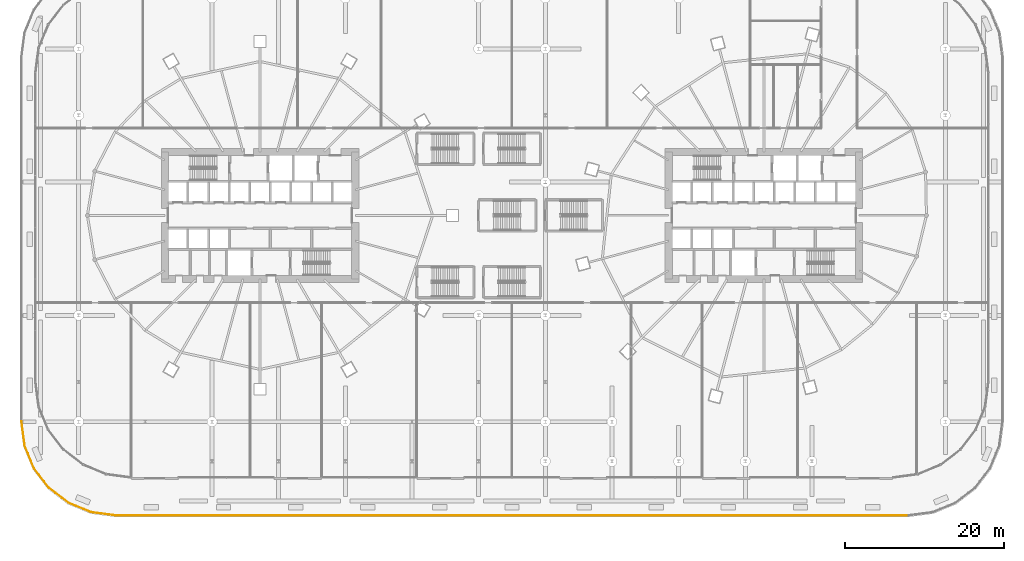
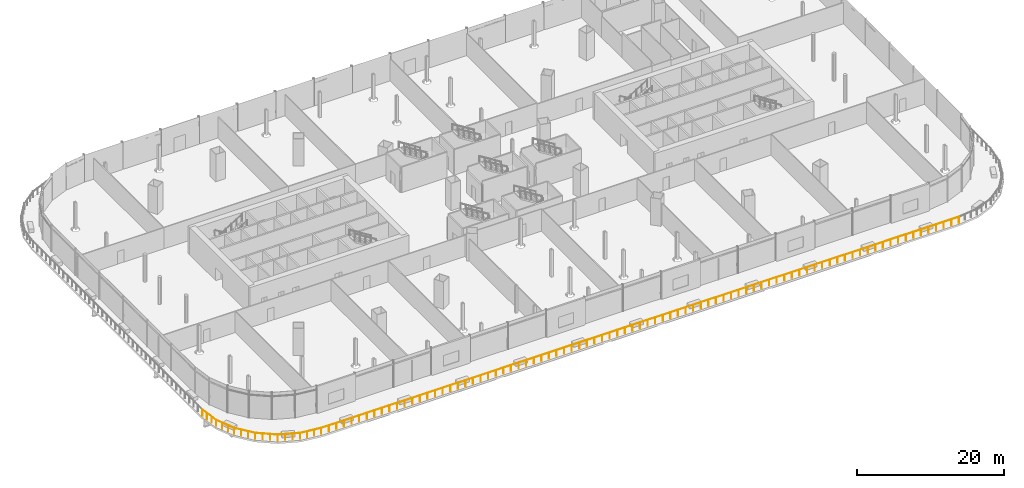
# One storey, part 46 of 56: 2 railings.
"""IFC4 building model written with IfcOpenShell, lengths in metres."""

import ifcopenshell
import ifcopenshell.guid

model = None  # the IFC model being written
_history = None  # IfcOwnerHistory: only IFC2X3 demands one
_inside = {}  # id of a spatial element -> (the spatial element, [elements in it])
_under = {}  # id of a project, library or spatial element -> (it, [spatial elements below it])
_declared = {}  # id of a project -> (the project, [libraries it declares])
_typed = {}  # id of a type object -> (the type object, [elements of that type])
_made_of = {}  # id of a material, layer set ... -> (it, [elements and type objects made of it])


def new_model(schema):
    """Start an empty IFC model of exactly this schema.

    Asked for "IFC4X3", IfcOpenShell would pick the latest addendum, in which some entities
    have other attributes; the version numbers below select the first issue.
    IFC2X3 requires an IfcOwnerHistory on every rooted entity: one is made here for all.
    """
    global model, _history
    if schema == "IFC4X3":
        model = ifcopenshell.file(schema_version=(4, 3, 0, 0))
    else:
        model = ifcopenshell.file(schema=schema)
    _inside.clear()
    _under.clear()
    _declared.clear()
    _typed.clear()
    _made_of.clear()
    _history = None
    if model.schema == "IFC2X3":
        org = make("IfcOrganization", Name="unknown")
        user = make(
            "IfcPersonAndOrganization",
            ThePerson=make("IfcPerson", FamilyName="unknown"),
            TheOrganization=org,
        )
        app = make(
            "IfcApplication",
            ApplicationDeveloper=org,
            Version="unknown",
            ApplicationFullName="unknown",
            ApplicationIdentifier="unknown",
        )
        _history = make(
            "IfcOwnerHistory",
            OwningUser=user,
            OwningApplication=app,
            ChangeAction="ADDED",
            CreationDate=0,
        )
    return model


def make(cls, **values):
    """One entity of the class cls with the attributes given. An attribute that is None is left unset."""
    return model.create_entity(
        cls, **{name: value for name, value in values.items() if value is not None}
    )


def rooted(cls, **values):
    """An entity with a GlobalId (a new one), such as an element, a storey or a relation."""
    return make(cls, GlobalId=ifcopenshell.guid.new(), OwnerHistory=_history, **values)


def si_unit(unit_type, name, prefix=None):
    """IfcSIUnit, for example si_unit("LENGTHUNIT", "METRE", prefix="MILLI")."""
    return make("IfcSIUnit", UnitType=unit_type, Prefix=prefix, Name=name)


def assignment(units):
    """IfcUnitAssignment: the units of a project."""
    return None if units is None else make("IfcUnitAssignment", Units=units)


def point(xyz):
    """IfcCartesianPoint."""
    return None if xyz is None else make("IfcCartesianPoint", Coordinates=xyz)


def direction(xyz):
    """IfcDirection."""
    return None if xyz is None else make("IfcDirection", DirectionRatios=xyz)


def frame(location, z_axis=None, x_axis=None):
    """IfcAxis2Placement3D, a coordinate frame: its origin and axes. An axis left out is left unset."""
    return make(
        "IfcAxis2Placement3D",
        Location=point(location),
        Axis=direction(z_axis),
        RefDirection=direction(x_axis),
    )


def frame_2d(location, x_axis=None):
    """IfcAxis2Placement2D, a coordinate frame in the plane: its origin and x axis."""
    return make(
        "IfcAxis2Placement2D", Location=point(location), RefDirection=direction(x_axis)
    )


def origin():
    """The frame at (0, 0, 0) with its axes left unset."""
    return frame((0.0, 0.0, 0.0))


def origin_2d():
    """The frame at (0, 0) in the plane with its x axis left unset."""
    return frame_2d((0.0, 0.0))


def place(relative_to, where):
    """IfcLocalPlacement: puts the frame where relative to a parent placement (None: the world)."""
    return make(
        "IfcLocalPlacement", PlacementRelTo=relative_to, RelativePlacement=where
    )


def context(
    kind, dimensions, precision=None, world=None, true_north=None, identifier=None
):
    """IfcGeometricRepresentationContext, for example the 3D "Model" context."""
    return make(
        "IfcGeometricRepresentationContext",
        ContextIdentifier=identifier,
        ContextType=kind,
        CoordinateSpaceDimension=dimensions,
        Precision=precision,
        WorldCoordinateSystem=world,
        TrueNorth=true_north,
    )


def subcontext(parent, identifier, kind, view, scale=None):
    """IfcGeometricRepresentationSubContext, for example "Body" below "Model"."""
    return make(
        "IfcGeometricRepresentationSubContext",
        ContextIdentifier=identifier,
        ContextType=kind,
        ParentContext=parent,
        TargetScale=scale,
        TargetView=view,
    )


def project(units=None, contexts=None):
    """IfcProject with its units and contexts."""
    return rooted(
        "IfcProject",
        Name="project",
        RepresentationContexts=contexts,
        UnitsInContext=assignment(units),
    )


def spatial(cls, under=None, at=None, **own):
    """A site, building, storey or space (cls), placed at a placement, below another one or the project."""
    s = rooted(cls, ObjectPlacement=at, **own)
    if under is not None:
        _under.setdefault(under.id(), (under, []))[1].append(s)
    return s


def profile(cls, at=None, kind="AREA", **sizes):
    """A parametric profile (cls). Its sizes go by their IFC names, for example OverallWidth=200.0."""
    return make(cls, ProfileType=kind, Position=at, **sizes)


def circle(**sizes):
    """IfcCircleProfileDef."""
    return profile("IfcCircleProfileDef", **sizes)


def extrude(swept, where, along, depth):
    """IfcExtrudedAreaSolid: the profile swept, set in the frame where, extruded along a direction by depth."""
    return make(
        "IfcExtrudedAreaSolid",
        SweptArea=swept,
        Position=where,
        ExtrudedDirection=direction(along),
        Depth=depth,
    )


def shape(context_of_items, identifier, shape_type, items):
    """IfcShapeRepresentation: the items that make up one representation, for example the "Body"."""
    return make(
        "IfcShapeRepresentation",
        ContextOfItems=context_of_items,
        RepresentationIdentifier=identifier,
        RepresentationType=shape_type,
        Items=items,
    )


def material(Name=None, Category=None):
    """IfcMaterial."""
    return make("IfcMaterial", Name=Name, Category=Category)


def made_of(thing, what):
    """Note that an element or type object is made of a material, layer set ...; save() writes the relation."""
    if what is not None:
        _made_of.setdefault(what.id(), (what, []))[1].append(thing)
    return thing


def type_object(cls, material=None, **own):
    """A type object (cls), such as IfcWallType, which elements share."""
    return made_of(rooted(cls, **own), material)


def element(
    cls,
    number,
    at=None,
    inside=None,
    cuts=None,
    type_object=None,
    material=None,
    context=None,
    identifier="Body",
    shape_type=None,
    held_by="IfcProductDefinitionShape",
    body=None,
    shapes=None,
    **own,
):
    """One element of the class cls, such as IfcWall. Its Tag is "e" and its number.

    at: its placement. inside: the storey or other place that contains it. cuts: it is an
    opening in that element (IfcRelVoidsElement). A single representation is given by context,
    identifier, shape_type and body (its items); several are given by shapes. held_by: the class
    of the entity that holds the representations. save() writes the other relations.
    """
    e = rooted(cls, Tag="e%d" % number, ObjectPlacement=at, **own)
    if body is not None:
        shapes = [shape(context, identifier, shape_type, body)]
    if shapes is not None:
        e.Representation = make(held_by, Representations=shapes)
    if inside is not None:
        _inside.setdefault(inside.id(), (inside, []))[1].append(e)
    if cuts is not None:
        rooted(
            "IfcRelVoidsElement", RelatingBuildingElement=cuts, RelatedOpeningElement=e
        )
    if type_object is not None:
        _typed.setdefault(type_object.id(), (type_object, []))[1].append(e)
    return made_of(e, material)


def aggregate(whole, parts):
    """IfcRelAggregates: a whole, such as a stair, and the parts it consists of."""
    return rooted("IfcRelAggregates", RelatingObject=whole, RelatedObjects=parts)


def save(model, path):
    """Write the relations noted so far, then the file.

    IfcRelAggregates (storeys below a building ...), IfcRelContainedInSpatialStructure (elements
    in a storey), IfcRelDefinesByType, IfcRelAssociatesMaterial and IfcRelDeclares: one each for
    every whole, place, type object, material and project.
    """
    for whole, parts in _under.values():
        aggregate(whole, parts)
    for where, things in _inside.values():
        rooted(
            "IfcRelContainedInSpatialStructure",
            RelatedElements=things,
            RelatingStructure=where,
        )
    for kind, things in _typed.values():
        rooted("IfcRelDefinesByType", RelatedObjects=things, RelatingType=kind)
    for what, things in _made_of.values():
        rooted("IfcRelAssociatesMaterial", RelatedObjects=things, RelatingMaterial=what)
    for by, libraries in _declared.values():
        rooted("IfcRelDeclares", RelatingContext=by, RelatedDefinitions=libraries)
    model.write(path)


model = new_model("IFC4")

# Units and contexts
model_context = context("Model", 3, precision=1e-05, world=origin(), true_north=direction((0.0, 1.0)))
body_context = subcontext(model_context, "Body", "Model", "MODEL_VIEW")
ifc_project = project(units=[si_unit("LENGTHUNIT", "METRE"), si_unit("AREAUNIT", "SQUARE_METRE"), si_unit("VOLUMEUNIT", "CUBIC_METRE"), si_unit("PLANEANGLEUNIT", "RADIAN"), si_unit("MASSUNIT", "GRAM", prefix="KILO")], contexts=[model_context])

# Site, building, storey
site_placement = place(None, origin())
site = spatial("IfcSite", under=ifc_project, at=site_placement, CompositionType="ELEMENT")
building_placement = place(site_placement, origin())
building = spatial("IfcBuilding", under=site, at=building_placement, Name="Rimbun Link Towers", CompositionType="ELEMENT")
storey_placement = place(building_placement, frame((0.0, 0.0, 16.5)))
storey = spatial("IfcBuildingStorey", under=building, at=storey_placement, Name="L03", CompositionType="ELEMENT", Elevation=16.5)

# Railings
ifc_material = material(Name="Toughened laminated glass, stainless steel grade 316 posts and cap rail", Category="steel")
railing_type = type_object("IfcRailingType", Name="GUARD glass balustrade with stainless cap rail", PredefinedType="BALUSTRADE", material=ifc_material)
railing_1_placement = place(storey_placement, frame((-61.800048828125, -25.98681640625, 0.0)))
element("IfcRailing", 1, at=railing_1_placement, inside=storey, type_object=railing_type, Name="GUARD glass balustrade", PredefinedType="BALUSTRADE", context=body_context, shape_type="SweptSolid", body=[
    extrude(circle(Radius=0.02392578125, at=origin_2d()), frame((0.0, 0.0, 1.076171875), z_axis=(0.130540259305, -0.991443009305, 0.0), x_axis=(0.991443009305, 0.130540259305, 0.0)), (0.0, 0.0, 1.0), 3.09326171875),
    extrude(circle(Radius=0.02392578125, at=origin_2d()), frame((0.40380859375, -3.06689453125, 1.076171875), z_axis=(0.382706499462, -0.92386997747, 0.0), x_axis=(0.92386997747, 0.382706499462, 0.0)), (0.0, 0.0, 1.0), 3.079833984375),
    extrude(circle(Radius=0.02392578125, at=origin_2d()), frame((1.58251953125, -5.912353515625, 1.076171875), z_axis=(0.608702762794, -0.793398353015, 0.0), x_axis=(0.793398353015, 0.608702762794, 0.0)), (0.0, 0.0, 1.0), 3.079833984375),
    extrude(circle(Radius=0.02392578125, at=origin_2d()), frame((3.457275390625, -8.35595703125, 1.076171875), z_axis=(0.793398353015, -0.608702762794, 0.0), x_axis=(0.608702762794, 0.793398353015, 0.0)), (0.0, 0.0, 1.0), 3.079833984375),
    extrude(circle(Radius=0.02392578125, at=origin_2d()), frame((5.90087890625, -10.230712890625, 1.076171875), z_axis=(0.92386997747, -0.382706499462, 0.0), x_axis=(0.382706499462, 0.92386997747, 0.0)), (0.0, 0.0, 1.0), 3.079833984375),
    extrude(circle(Radius=0.02392578125, at=origin_2d()), frame((8.746337890625, -11.409423828125, 1.076171875), z_axis=(0.991443009305, -0.130540259305, 0.0), x_axis=(0.130540259305, 0.991443009305, 0.0)), (0.0, 0.0, 1.0), 3.09326171875),
    extrude(circle(Radius=0.02099609375, at=origin_2d()), origin(), (0.0, 0.0, 1.0), 1.052001953125),
    extrude(circle(Radius=0.02099609375, at=origin_2d()), frame((0.134521484375, -1.022216796875, 0.0)), (0.0, 0.0, 1.0), 1.052001953125),
    extrude(circle(Radius=0.02099609375, at=origin_2d()), frame((0.269287109375, -2.044677734375, 0.0)), (0.0, 0.0, 1.0), 1.052001953125),
    extrude(circle(Radius=0.02099609375, at=origin_2d()), frame((0.40380859375, -3.06689453125, 0.0)), (0.0, 0.0, 1.0), 1.052001953125),
    extrude(circle(Radius=0.02099609375, at=origin_2d()), frame((0.796630859375, -4.015380859375, 0.0)), (0.0, 0.0, 1.0), 1.052001953125),
    extrude(circle(Radius=0.02099609375, at=origin_2d()), frame((1.189697265625, -4.9638671875, 0.0)), (0.0, 0.0, 1.0), 1.052001953125),
    extrude(circle(Radius=0.02099609375, at=origin_2d()), frame((1.58251953125, -5.912353515625, 0.0)), (0.0, 0.0, 1.0), 1.052001953125),
    extrude(circle(Radius=0.02099609375, at=origin_2d()), frame((2.20751953125, -6.726806640625, 0.0)), (0.0, 0.0, 1.0), 1.052001953125),
    extrude(circle(Radius=0.02099609375, at=origin_2d()), frame((2.832275390625, -7.54150390625, 0.0)), (0.0, 0.0, 1.0), 1.052001953125),
    extrude(circle(Radius=0.02099609375, at=origin_2d()), frame((3.457275390625, -8.35595703125, 0.0)), (0.0, 0.0, 1.0), 1.052001953125),
    extrude(circle(Radius=0.02099609375, at=origin_2d()), frame((4.271728515625, -8.98095703125, 0.0)), (0.0, 0.0, 1.0), 1.052001953125),
    extrude(circle(Radius=0.02099609375, at=origin_2d()), frame((5.08642578125, -9.605712890625, 0.0)), (0.0, 0.0, 1.0), 1.052001953125),
    extrude(circle(Radius=0.02099609375, at=origin_2d()), frame((5.90087890625, -10.230712890625, 0.0)), (0.0, 0.0, 1.0), 1.052001953125),
    extrude(circle(Radius=0.02099609375, at=origin_2d()), frame((6.849365234375, -10.62353515625, 0.0)), (0.0, 0.0, 1.0), 1.052001953125),
    extrude(circle(Radius=0.02099609375, at=origin_2d()), frame((7.7978515625, -11.0166015625, 0.0)), (0.0, 0.0, 1.0), 1.052001953125),
    extrude(circle(Radius=0.02099609375, at=origin_2d()), frame((8.746337890625, -11.409423828125, 0.0)), (0.0, 0.0, 1.0), 1.052001953125),
    extrude(circle(Radius=0.02099609375, at=origin_2d()), frame((9.7685546875, -11.5439453125, 0.0)), (0.0, 0.0, 1.0), 1.052001953125),
    extrude(circle(Radius=0.02099609375, at=origin_2d()), frame((10.791015625, -11.6787109375, 0.0)), (0.0, 0.0, 1.0), 1.052001953125),
    extrude(circle(Radius=0.02099609375, at=origin_2d()), frame((11.813232421875, -11.813232421875, 0.0)), (0.0, 0.0, 1.0), 1.052001953125),
])
railing_2_placement = place(storey_placement, frame((-49.98681640625, -37.800048828125, 0.0)))
element("IfcRailing", 2, at=railing_2_placement, inside=storey, type_object=railing_type, Name="GUARD glass balustrade", PredefinedType="BALUSTRADE", context=body_context, shape_type="SweptSolid", body=[
    extrude(circle(Radius=0.02392578125, at=origin_2d()), frame((0.0, 0.0, 1.076171875), z_axis=(1.0, 0.0, 0.0), x_axis=(0.0, 1.0, 0.0)), (0.0, 0.0, 1.0), 99.9736328125),
    extrude(circle(Radius=0.02099609375, at=origin_2d()), origin(), (0.0, 0.0, 1.0), 1.052001953125),
    extrude(circle(Radius=0.02099609375, at=origin_2d()), frame((1.190185546875, 0.0, 0.0)), (0.0, 0.0, 1.0), 1.052001953125),
    extrude(circle(Radius=0.02099609375, at=origin_2d()), frame((2.38037109375, 0.0, 0.0)), (0.0, 0.0, 1.0), 1.052001953125),
    extrude(circle(Radius=0.02099609375, at=origin_2d()), frame((3.570556640625, 0.0, 0.0)), (0.0, 0.0, 1.0), 1.052001953125),
    extrude(circle(Radius=0.02099609375, at=origin_2d()), frame((4.7607421875, 0.0, 0.0)), (0.0, 0.0, 1.0), 1.052001953125),
    extrude(circle(Radius=0.02099609375, at=origin_2d()), frame((5.950927734375, 0.0, 0.0)), (0.0, 0.0, 1.0), 1.052001953125),
    extrude(circle(Radius=0.02099609375, at=origin_2d()), frame((7.140869140625, 0.0, 0.0)), (0.0, 0.0, 1.0), 1.052001953125),
    extrude(circle(Radius=0.02099609375, at=origin_2d()), frame((8.3310546875, 0.0, 0.0)), (0.0, 0.0, 1.0), 1.052001953125),
    extrude(circle(Radius=0.02099609375, at=origin_2d()), frame((9.521240234375, 0.0, 0.0)), (0.0, 0.0, 1.0), 1.052001953125),
    extrude(circle(Radius=0.02099609375, at=origin_2d()), frame((10.71142578125, 0.0, 0.0)), (0.0, 0.0, 1.0), 1.052001953125),
    extrude(circle(Radius=0.02099609375, at=origin_2d()), frame((11.901611328125, 0.0, 0.0)), (0.0, 0.0, 1.0), 1.052001953125),
    extrude(circle(Radius=0.02099609375, at=origin_2d()), frame((13.091796875, 0.0, 0.0)), (0.0, 0.0, 1.0), 1.052001953125),
    extrude(circle(Radius=0.02099609375, at=origin_2d()), frame((14.281982421875, 0.0, 0.0)), (0.0, 0.0, 1.0), 1.052001953125),
    extrude(circle(Radius=0.02099609375, at=origin_2d()), frame((15.47216796875, 0.0, 0.0)), (0.0, 0.0, 1.0), 1.052001953125),
    extrude(circle(Radius=0.02099609375, at=origin_2d()), frame((16.662353515625, 0.0, 0.0)), (0.0, 0.0, 1.0), 1.052001953125),
    extrude(circle(Radius=0.02099609375, at=origin_2d()), frame((17.8525390625, 0.0, 0.0)), (0.0, 0.0, 1.0), 1.052001953125),
    extrude(circle(Radius=0.02099609375, at=origin_2d()), frame((19.04248046875, 0.0, 0.0)), (0.0, 0.0, 1.0), 1.052001953125),
    extrude(circle(Radius=0.02099609375, at=origin_2d()), frame((20.232666015625, 0.0, 0.0)), (0.0, 0.0, 1.0), 1.052001953125),
    extrude(circle(Radius=0.02099609375, at=origin_2d()), frame((21.4228515625, 0.0, 0.0)), (0.0, 0.0, 1.0), 1.052001953125),
    extrude(circle(Radius=0.02099609375, at=origin_2d()), frame((22.613037109375, 0.0, 0.0)), (0.0, 0.0, 1.0), 1.052001953125),
    extrude(circle(Radius=0.02099609375, at=origin_2d()), frame((23.80322265625, 0.0, 0.0)), (0.0, 0.0, 1.0), 1.052001953125),
    extrude(circle(Radius=0.02099609375, at=origin_2d()), frame((24.993408203125, 0.0, 0.0)), (0.0, 0.0, 1.0), 1.052001953125),
    extrude(circle(Radius=0.02099609375, at=origin_2d()), frame((26.18359375, 0.0, 0.0)), (0.0, 0.0, 1.0), 1.052001953125),
    extrude(circle(Radius=0.02099609375, at=origin_2d()), frame((27.373779296875, 0.0, 0.0)), (0.0, 0.0, 1.0), 1.052001953125),
    extrude(circle(Radius=0.02099609375, at=origin_2d()), frame((28.56396484375, 0.0, 0.0)), (0.0, 0.0, 1.0), 1.052001953125),
    extrude(circle(Radius=0.02099609375, at=origin_2d()), frame((29.754150390625, 0.0, 0.0)), (0.0, 0.0, 1.0), 1.052001953125),
    extrude(circle(Radius=0.02099609375, at=origin_2d()), frame((30.9443359375, 0.0, 0.0)), (0.0, 0.0, 1.0), 1.052001953125),
    extrude(circle(Radius=0.02099609375, at=origin_2d()), frame((32.13427734375, 0.0, 0.0)), (0.0, 0.0, 1.0), 1.052001953125),
    extrude(circle(Radius=0.02099609375, at=origin_2d()), frame((33.324462890625, 0.0, 0.0)), (0.0, 0.0, 1.0), 1.052001953125),
    extrude(circle(Radius=0.02099609375, at=origin_2d()), frame((34.5146484375, 0.0, 0.0)), (0.0, 0.0, 1.0), 1.052001953125),
    extrude(circle(Radius=0.02099609375, at=origin_2d()), frame((35.704833984375, 0.0, 0.0)), (0.0, 0.0, 1.0), 1.052001953125),
    extrude(circle(Radius=0.02099609375, at=origin_2d()), frame((36.89501953125, 0.0, 0.0)), (0.0, 0.0, 1.0), 1.052001953125),
    extrude(circle(Radius=0.02099609375, at=origin_2d()), frame((38.085205078125, 0.0, 0.0)), (0.0, 0.0, 1.0), 1.052001953125),
    extrude(circle(Radius=0.02099609375, at=origin_2d()), frame((39.275390625, 0.0, 0.0)), (0.0, 0.0, 1.0), 1.052001953125),
    extrude(circle(Radius=0.02099609375, at=origin_2d()), frame((40.465576171875, 0.0, 0.0)), (0.0, 0.0, 1.0), 1.052001953125),
    extrude(circle(Radius=0.02099609375, at=origin_2d()), frame((41.65576171875, 0.0, 0.0)), (0.0, 0.0, 1.0), 1.052001953125),
    extrude(circle(Radius=0.02099609375, at=origin_2d()), frame((42.845947265625, 0.0, 0.0)), (0.0, 0.0, 1.0), 1.052001953125),
    extrude(circle(Radius=0.02099609375, at=origin_2d()), frame((44.035888671875, 0.0, 0.0)), (0.0, 0.0, 1.0), 1.052001953125),
    extrude(circle(Radius=0.02099609375, at=origin_2d()), frame((45.22607421875, 0.0, 0.0)), (0.0, 0.0, 1.0), 1.052001953125),
    extrude(circle(Radius=0.02099609375, at=origin_2d()), frame((46.416259765625, 0.0, 0.0)), (0.0, 0.0, 1.0), 1.052001953125),
    extrude(circle(Radius=0.02099609375, at=origin_2d()), frame((47.6064453125, 0.0, 0.0)), (0.0, 0.0, 1.0), 1.052001953125),
    extrude(circle(Radius=0.02099609375, at=origin_2d()), frame((48.796630859375, 0.0, 0.0)), (0.0, 0.0, 1.0), 1.052001953125),
    extrude(circle(Radius=0.02099609375, at=origin_2d()), frame((49.98681640625, 0.0, 0.0)), (0.0, 0.0, 1.0), 1.052001953125),
    extrude(circle(Radius=0.02099609375, at=origin_2d()), frame((51.177001953125, 0.0, 0.0)), (0.0, 0.0, 1.0), 1.052001953125),
    extrude(circle(Radius=0.02099609375, at=origin_2d()), frame((52.3671875, 0.0, 0.0)), (0.0, 0.0, 1.0), 1.052001953125),
    extrude(circle(Radius=0.02099609375, at=origin_2d()), frame((53.557373046875, 0.0, 0.0)), (0.0, 0.0, 1.0), 1.052001953125),
    extrude(circle(Radius=0.02099609375, at=origin_2d()), frame((54.74755859375, 0.0, 0.0)), (0.0, 0.0, 1.0), 1.052001953125),
    extrude(circle(Radius=0.02099609375, at=origin_2d()), frame((55.937744140625, 0.0, 0.0)), (0.0, 0.0, 1.0), 1.052001953125),
    extrude(circle(Radius=0.02099609375, at=origin_2d()), frame((57.127685546875, 0.0, 0.0)), (0.0, 0.0, 1.0), 1.052001953125),
    extrude(circle(Radius=0.02099609375, at=origin_2d()), frame((58.31787109375, 0.0, 0.0)), (0.0, 0.0, 1.0), 1.052001953125),
    extrude(circle(Radius=0.02099609375, at=origin_2d()), frame((59.508056640625, 0.0, 0.0)), (0.0, 0.0, 1.0), 1.052001953125),
    extrude(circle(Radius=0.02099609375, at=origin_2d()), frame((60.6982421875, 0.0, 0.0)), (0.0, 0.0, 1.0), 1.052001953125),
    extrude(circle(Radius=0.02099609375, at=origin_2d()), frame((61.888427734375, 0.0, 0.0)), (0.0, 0.0, 1.0), 1.052001953125),
    extrude(circle(Radius=0.02099609375, at=origin_2d()), frame((63.07861328125, 0.0, 0.0)), (0.0, 0.0, 1.0), 1.052001953125),
    extrude(circle(Radius=0.02099609375, at=origin_2d()), frame((64.268798828125, 0.0, 0.0)), (0.0, 0.0, 1.0), 1.052001953125),
    extrude(circle(Radius=0.02099609375, at=origin_2d()), frame((65.458984375, 0.0, 0.0)), (0.0, 0.0, 1.0), 1.052001953125),
    extrude(circle(Radius=0.02099609375, at=origin_2d()), frame((66.649169921875, 0.0, 0.0)), (0.0, 0.0, 1.0), 1.052001953125),
    extrude(circle(Radius=0.02099609375, at=origin_2d()), frame((67.83935546875, 0.0, 0.0)), (0.0, 0.0, 1.0), 1.052001953125),
    extrude(circle(Radius=0.02099609375, at=origin_2d()), frame((69.029296875, 0.0, 0.0)), (0.0, 0.0, 1.0), 1.052001953125),
    extrude(circle(Radius=0.02099609375, at=origin_2d()), frame((70.219482421875, 0.0, 0.0)), (0.0, 0.0, 1.0), 1.052001953125),
    extrude(circle(Radius=0.02099609375, at=origin_2d()), frame((71.40966796875, 0.0, 0.0)), (0.0, 0.0, 1.0), 1.052001953125),
    extrude(circle(Radius=0.02099609375, at=origin_2d()), frame((72.599853515625, 0.0, 0.0)), (0.0, 0.0, 1.0), 1.052001953125),
    extrude(circle(Radius=0.02099609375, at=origin_2d()), frame((73.7900390625, 0.0, 0.0)), (0.0, 0.0, 1.0), 1.052001953125),
    extrude(circle(Radius=0.02099609375, at=origin_2d()), frame((74.980224609375, 0.0, 0.0)), (0.0, 0.0, 1.0), 1.052001953125),
    extrude(circle(Radius=0.02099609375, at=origin_2d()), frame((76.17041015625, 0.0, 0.0)), (0.0, 0.0, 1.0), 1.052001953125),
    extrude(circle(Radius=0.02099609375, at=origin_2d()), frame((77.360595703125, 0.0, 0.0)), (0.0, 0.0, 1.0), 1.052001953125),
    extrude(circle(Radius=0.02099609375, at=origin_2d()), frame((78.55078125, 0.0, 0.0)), (0.0, 0.0, 1.0), 1.052001953125),
    extrude(circle(Radius=0.02099609375, at=origin_2d()), frame((79.740966796875, 0.0, 0.0)), (0.0, 0.0, 1.0), 1.052001953125),
    extrude(circle(Radius=0.02099609375, at=origin_2d()), frame((80.93115234375, 0.0, 0.0)), (0.0, 0.0, 1.0), 1.052001953125),
    extrude(circle(Radius=0.02099609375, at=origin_2d()), frame((82.12109375, 0.0, 0.0)), (0.0, 0.0, 1.0), 1.052001953125),
    extrude(circle(Radius=0.02099609375, at=origin_2d()), frame((83.311279296875, 0.0, 0.0)), (0.0, 0.0, 1.0), 1.052001953125),
    extrude(circle(Radius=0.02099609375, at=origin_2d()), frame((84.50146484375, 0.0, 0.0)), (0.0, 0.0, 1.0), 1.052001953125),
    extrude(circle(Radius=0.02099609375, at=origin_2d()), frame((85.691650390625, 0.0, 0.0)), (0.0, 0.0, 1.0), 1.052001953125),
    extrude(circle(Radius=0.02099609375, at=origin_2d()), frame((86.8818359375, 0.0, 0.0)), (0.0, 0.0, 1.0), 1.052001953125),
    extrude(circle(Radius=0.02099609375, at=origin_2d()), frame((88.072021484375, 0.0, 0.0)), (0.0, 0.0, 1.0), 1.052001953125),
    extrude(circle(Radius=0.02099609375, at=origin_2d()), frame((89.26220703125, 0.0, 0.0)), (0.0, 0.0, 1.0), 1.052001953125),
    extrude(circle(Radius=0.02099609375, at=origin_2d()), frame((90.452392578125, 0.0, 0.0)), (0.0, 0.0, 1.0), 1.052001953125),
    extrude(circle(Radius=0.02099609375, at=origin_2d()), frame((91.642578125, 0.0, 0.0)), (0.0, 0.0, 1.0), 1.052001953125),
    extrude(circle(Radius=0.02099609375, at=origin_2d()), frame((92.832763671875, 0.0, 0.0)), (0.0, 0.0, 1.0), 1.052001953125),
    extrude(circle(Radius=0.02099609375, at=origin_2d()), frame((94.022705078125, 0.0, 0.0)), (0.0, 0.0, 1.0), 1.052001953125),
    extrude(circle(Radius=0.02099609375, at=origin_2d()), frame((95.212890625, 0.0, 0.0)), (0.0, 0.0, 1.0), 1.052001953125),
    extrude(circle(Radius=0.02099609375, at=origin_2d()), frame((96.403076171875, 0.0, 0.0)), (0.0, 0.0, 1.0), 1.052001953125),
    extrude(circle(Radius=0.02099609375, at=origin_2d()), frame((97.59326171875, 0.0, 0.0)), (0.0, 0.0, 1.0), 1.052001953125),
    extrude(circle(Radius=0.02099609375, at=origin_2d()), frame((98.783447265625, 0.0, 0.0)), (0.0, 0.0, 1.0), 1.052001953125),
    extrude(circle(Radius=0.02099609375, at=origin_2d()), frame((99.9736328125, 0.0, 0.0)), (0.0, 0.0, 1.0), 1.052001953125),
])

save(model, "model.ifc")
